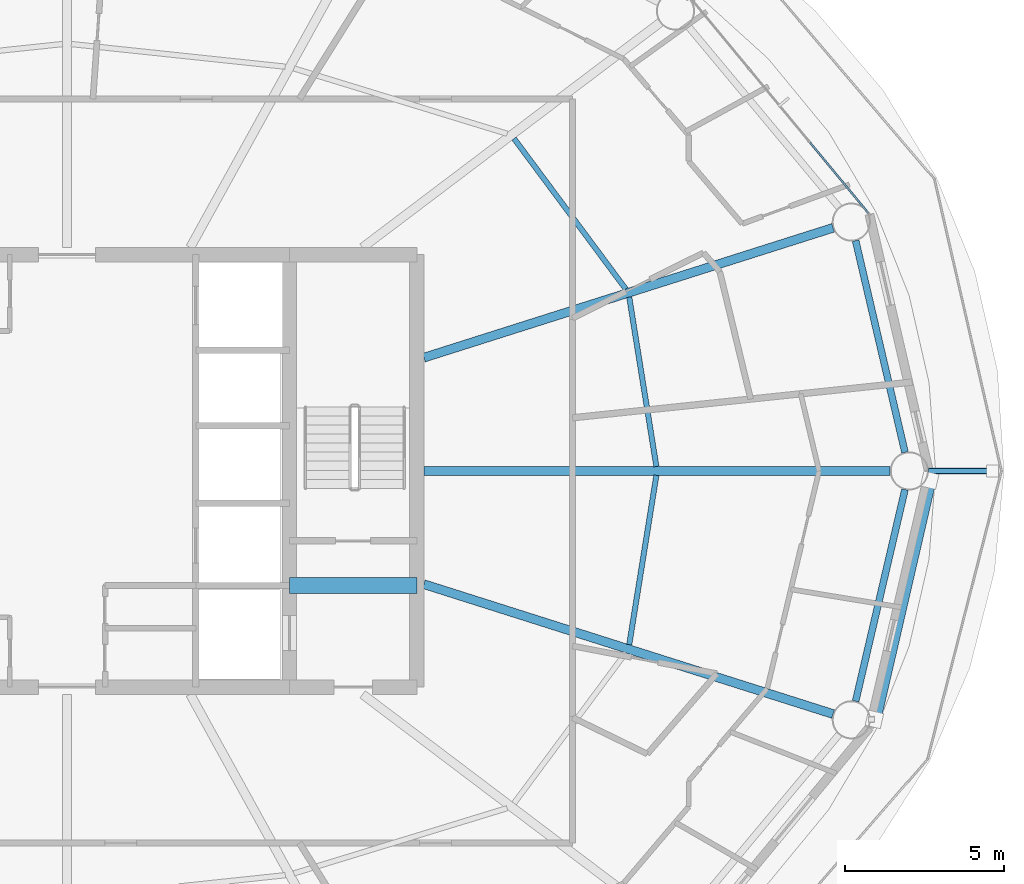
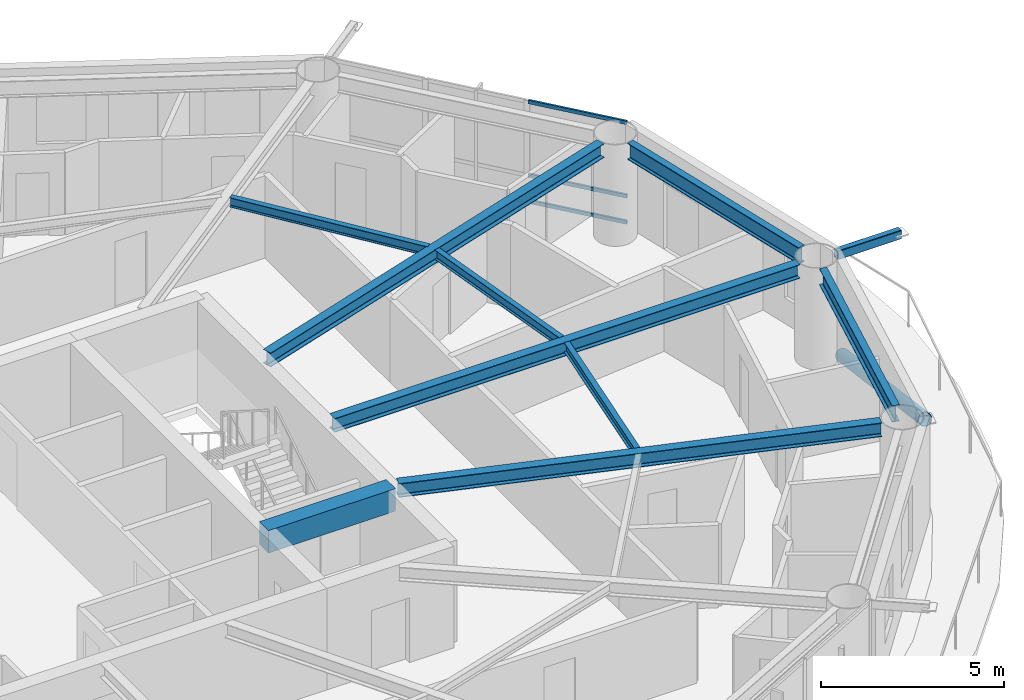
# One storey, part 8 of 27: 9 beams, 5 members, 1 element without a shape of its own.
"""IFC4 building model written with IfcOpenShell, lengths in metres."""

from ifc_helpers import new_model, si_unit, direction, frame, origin, origin_2d, place, context, subcontext, project, spatial, rectangle, hollow_rectangle, hollow_circle, i_section, extrude, material, layer, layer_set, material_profile, profile_set, type_object, element, aggregate, save


model = new_model("IFC4")

# Units and contexts
model_context = context("Model", 3, precision=1e-05, world=origin(), true_north=direction((0.0, 1.0)))
body_context = subcontext(model_context, "Body", "Model", "MODEL_VIEW")
ifc_project = project(units=[si_unit("LENGTHUNIT", "METRE"), si_unit("AREAUNIT", "SQUARE_METRE"), si_unit("VOLUMEUNIT", "CUBIC_METRE"), si_unit("PLANEANGLEUNIT", "RADIAN"), si_unit("MASSUNIT", "GRAM", prefix="KILO")], contexts=[model_context])

# Site, building, storey
site_placement = place(None, origin())
site = spatial("IfcSite", under=ifc_project, at=site_placement, CompositionType="ELEMENT")
building_placement = place(site_placement, origin())
building = spatial("IfcBuilding", under=site, at=building_placement, Name="Sarneth Arch Tower", CompositionType="ELEMENT")
storey_placement = place(building_placement, frame((0.0, 0.0, 193.800048828125)))
storey = spatial("IfcBuildingStorey", under=building, at=storey_placement, Name="L49", CompositionType="ELEMENT", Elevation=193.800048828125)

# Beams
ifc_material_1 = material(Name="Steel S355", Category="steel")
ifc_material_profile_1 = material_profile(ifc_material_1, i_section(OverallWidth=0.1669921875, OverallDepth=0.31689453125, WebThickness=0.007568359375, FlangeThickness=0.01318359375, FilletRadius=0.012939453125, at=origin_2d()), Name="W310x52")
ifc_profile_set_1 = profile_set([ifc_material_profile_1], Name="Steel S355")
beam_type_1 = type_object("IfcBeamType", Name="BM-JOIST-310B", PredefinedType="JOIST", material=ifc_profile_set_1)
beam_1_placement = place(storey_placement, frame((66.533935546875, 42.13818359375, 3.221435546875), z_axis=(-0.158348792374, 0.987383238643, 0.0), x_axis=(-0.987383238643, -0.158348792374, 0.0)))
element("IfcBeam", 1, at=beam_1_placement, inside=storey, type_object=beam_type_1, Name="L49 Secondary floor joist 01", PredefinedType="JOIST", context=body_context, shape_type="SweptSolid", body=[
    extrude(i_section(OverallWidth=0.1669921875, OverallDepth=0.31689453125, WebThickness=0.007568359375, FlangeThickness=0.01318359375, FilletRadius=0.012939453125, at=origin_2d()), origin(), (0.0, 0.0, 1.0), 5.394775390625),
])
beam_2_placement = place(storey_placement, frame((65.57421875, 47.715576171875, 3.221435546875), z_axis=(-0.596190586674, 0.802842938788, 0.0), x_axis=(-0.802842938788, -0.596190586674, 0.0)))
element("IfcBeam", 2, at=beam_2_placement, inside=storey, type_object=beam_type_1, Name="L49 Secondary floor joist 02", PredefinedType="JOIST", context=body_context, shape_type="SweptSolid", body=[
    extrude(i_section(OverallWidth=0.1669921875, OverallDepth=0.31689453125, WebThickness=0.007568359375, FlangeThickness=0.01318359375, FilletRadius=0.012939453125, at=origin_2d()), origin(), (0.0, 0.0, 1.0), 5.896484375),
])
beam_3_placement = place(storey_placement, frame((65.6796875, 36.53515625, 3.221435546875), z_axis=(0.158348792374, 0.987383238643, 0.0), x_axis=(-0.987383238643, 0.158348792374, 0.0)))
element("IfcBeam", 3, at=beam_3_placement, inside=storey, type_object=beam_type_1, Name="L49 Secondary floor joist 16", PredefinedType="JOIST", context=body_context, shape_type="SweptSolid", body=[
    extrude(i_section(OverallWidth=0.1669921875, OverallDepth=0.31689453125, WebThickness=0.007568359375, FlangeThickness=0.01318359375, FilletRadius=0.012939453125, at=origin_2d()), origin(), (0.0, 0.0, 1.0), 5.394775390625),
])
ifc_material_2 = material(Name="Concrete C50/60", Category="concrete")
ifc_material_profile_2 = material_profile(ifc_material_2, rectangle(XDim=0.5, YDim=0.75, at=origin_2d()), Name="RC-500x750")
ifc_profile_set_2 = profile_set([ifc_material_profile_2], Name="Concrete C50/60")
beam_type_2 = type_object("IfcBeamType", Name="BM-LINTEL-RC", PredefinedType="LINTEL", material=ifc_profile_set_2)
beam_4_placement = place(storey_placement, frame((55.0, 38.39990234375, 3.0048828125), z_axis=(1.0, 0.0, 0.0), x_axis=(0.0, 1.0, 0.0)))
element("IfcBeam", 4, at=beam_4_placement, inside=storey, type_object=beam_type_2, Name="L49 Core coupling lintel E", PredefinedType="LINTEL", context=body_context, shape_type="SweptSolid", body=[
    extrude(rectangle(XDim=0.5, YDim=0.75, at=origin_2d()), origin(), (0.0, 0.0, 1.0), 4.0),
])
ifc_material_3 = material(Name="Steel S355", Category="steel")
ifc_material_profile_3 = material_profile(ifc_material_3, i_section(OverallWidth=0.280029296875, OverallDepth=0.462890625, WebThickness=0.0107421875, FlangeThickness=0.017333984375, FilletRadius=0.01806640625, at=origin_2d()), Name="W460x113")
ifc_profile_set_3 = profile_set([ifc_material_profile_3], Name="Steel S355")
beam_type_3 = type_object("IfcBeamType", Name="BM-RAD-460A", PredefinedType="BEAM", material=ifc_profile_set_3)
beam_5_placement = place(storey_placement, frame((59.22509765625, 42.0, 3.1484375), z_axis=(1.0, 0.0, 0.0), x_axis=(0.0, 1.0, 0.0)))
element("IfcBeam", 5, at=beam_5_placement, inside=storey, type_object=beam_type_3, Name="L49 Radial floor girder 01", PredefinedType="BEAM", context=body_context, shape_type="SweptSolid", body=[
    extrude(i_section(OverallWidth=0.280029296875, OverallDepth=0.462890625, WebThickness=0.0107421875, FlangeThickness=0.017333984375, FilletRadius=0.01806640625, at=origin_2d()), origin(), (0.0, 0.0, 1.0), 14.661865234375),
])
for number, where, z_axis, x_axis, name in (
    (6, (59.22509765625, 45.56201171875, 3.1484375), (0.95316541071, 0.30244949963, 0.0), (-0.30244949963, 0.95316541071, 0.0), "L49 Radial floor girder 02"),
    (7, (59.22509765625, 38.43798828125, 3.1484375), (0.95316541071, -0.30244949963, 0.0), (0.30244949963, 0.95316541071, 0.0), "L49 Radial floor girder 16"),
):
    element("IfcBeam", number, at=place(storey_placement, frame(where, z_axis=z_axis, x_axis=x_axis)), inside=storey, type_object=beam_type_3, Name=name, PredefinedType="BEAM", context=body_context, shape_type="SweptSolid", body=[
        extrude(i_section(OverallWidth=0.280029296875, OverallDepth=0.462890625, WebThickness=0.0107421875, FlangeThickness=0.017333984375, FilletRadius=0.01806640625, at=origin_2d()), origin(), (0.0, 0.0, 1.0), 13.497314453125),
    ])
ifc_material_4 = material(Name="Steel S355", Category="steel")
ifc_material_profile_4 = material_profile(ifc_material_4, i_section(OverallWidth=0.214111328125, OverallDepth=0.549072265625, WebThickness=0.0146484375, FlangeThickness=0.023681640625, FilletRadius=0.01806640625, at=origin_2d()), Name="W530x138")
ifc_profile_set_4 = profile_set([ifc_material_profile_4], Name="Steel S355")
beam_type_4 = type_object("IfcBeamType", Name="BM-RAD-530A", PredefinedType="BEAM", material=ifc_profile_set_4)
for number, where, z_axis, x_axis, name in (
    (8, (74.350830078125, 42.584228515625, 3.10546875), (-0.227109937572, 0.973869126863, 0.0), (-0.973869126863, -0.227109937572, 0.0), "L49 Perimeter spandrel beam 01"),
    (9, (72.79833984375, 34.758544921875, 3.10546875), (0.227109937572, 0.973869126863, 0.0), (-0.973869126863, 0.227109937572, 0.0), "L49 Perimeter spandrel beam 16"),
):
    element("IfcBeam", number, at=place(storey_placement, frame(where, z_axis=z_axis, x_axis=x_axis)), inside=storey, type_object=beam_type_4, Name=name, PredefinedType="BEAM", context=body_context, shape_type="SweptSolid", body=[
        extrude(i_section(OverallWidth=0.214111328125, OverallDepth=0.549072265625, WebThickness=0.0146484375, FlangeThickness=0.023681640625, FilletRadius=0.01806640625, at=origin_2d()), origin(), (0.0, 0.0, 1.0), 6.8359375),
    ])

# Curtain wall, members
ifc_material_5 = material(Name="Anodised aluminium Type AA25 and solar-control low-e laminated IGU", Category="aluminium")
ifc_layer = layer(ifc_material_5, 0.169921875)
ifc_layer_set = layer_set([ifc_layer], Name="Anodised aluminium Type AA25 and solar-control low-e laminated IGU")
curtain_wall_type = type_object("IfcCurtainWallType", Name="CW-RES-MID", PredefinedType="NOTDEFINED", material=ifc_layer_set)
curtain_wall_placement = place(storey_placement, origin())
curtain_wall = element("IfcCurtainWall", 10, at=curtain_wall_placement, inside=storey, type_object=curtain_wall_type, Name="L49 Unitised curtain wall facet 02", PredefinedType="NOTDEFINED")
ifc_material_6 = material(Name="Anodised Aluminium 6063-T6", Category="aluminium")
ifc_material_profile_5 = material_profile(ifc_material_6, hollow_rectangle(XDim=0.06005859375, YDim=0.1201171875, WallThickness=0.00390625, at=origin_2d()), Name="AL-TRAN-120x60x4")
ifc_profile_set_5 = profile_set([ifc_material_profile_5], Name="Anodised Aluminium 6063-T6")
member_type_1 = type_object("IfcMemberType", Name="CW-TRANSOM", PredefinedType="USERDEFINED", material=ifc_profile_set_5)
member_1_placement = place(storey_placement, frame((73.194091796875, 50.11328125, 0.030029296875), z_axis=(-0.637358651504, 0.770567290607, 0.0), x_axis=(-0.770567290607, -0.637358651504, 0.0)))
member_1 = element("IfcMember", 11, at=member_1_placement, type_object=member_type_1, Name="CW-SYS-5 transom 1.1", ObjectType="TRANSOM", PredefinedType="USERDEFINED", context=body_context, shape_type="SweptSolid", body=[
    extrude(hollow_rectangle(XDim=0.06005859375, YDim=0.1201171875, WallThickness=0.00390625, at=origin_2d()), origin(), (0.0, 0.0, 1.0), 2.8681640625),
])
member_2_placement = place(storey_placement, frame((73.194091796875, 50.11328125, 0.89990234375), z_axis=(-0.637358651504, 0.770567290607, 0.0), x_axis=(-0.770567290607, -0.637358651504, 0.0)))
member_2 = element("IfcMember", 12, at=member_2_placement, type_object=member_type_1, Name="CW-SYS-5 transom 1.2", ObjectType="TRANSOM", PredefinedType="USERDEFINED", context=body_context, shape_type="SweptSolid", body=[
    extrude(hollow_rectangle(XDim=0.06005859375, YDim=0.1201171875, WallThickness=0.00390625, at=origin_2d()), origin(), (0.0, 0.0, 1.0), 2.8681640625),
])
member_3_placement = place(storey_placement, frame((73.194091796875, 50.11328125, 3.349853515625), z_axis=(-0.637358651504, 0.770567290607, 0.0), x_axis=(-0.770567290607, -0.637358651504, 0.0)))
member_3 = element("IfcMember", 13, at=member_3_placement, type_object=member_type_1, Name="CW-SYS-5 transom 1.3", ObjectType="TRANSOM", PredefinedType="USERDEFINED", context=body_context, shape_type="SweptSolid", body=[
    extrude(hollow_rectangle(XDim=0.06005859375, YDim=0.1201171875, WallThickness=0.00390625, at=origin_2d()), origin(), (0.0, 0.0, 1.0), 2.8681640625),
])
aggregate(curtain_wall, [member_1, member_2, member_3])

# Members
ifc_material_7 = material(Name="Steel S355", Category="steel")
ifc_material_profile_6 = material_profile(ifc_material_7, hollow_rectangle(XDim=0.199951171875, YDim=0.300048828125, WallThickness=0.012451171875, InnerFilletRadius=0.018798828125, OuterFilletRadius=0.03125, at=origin_2d()), Name="RHS300x200x12.5")
ifc_profile_set_6 = profile_set([ifc_material_profile_6], Name="Steel S355")
member_type_2 = type_object("IfcMemberType", Name="MEM-CANT-STRUT", PredefinedType="STRUT", material=ifc_profile_set_6)
member_4_placement = place(storey_placement, frame((75.0869140625, 42.0, 3.219970703125), z_axis=(1.0, 0.0, 0.0), x_axis=(0.0, 1.0, 0.0)))
element("IfcMember", 14, at=member_4_placement, inside=storey, type_object=member_type_2, Name="L49 Balcony cantilever bracket 01", PredefinedType="STRUT", context=body_context, shape_type="SweptSolid", body=[
    extrude(hollow_rectangle(XDim=0.199951171875, YDim=0.300048828125, WallThickness=0.012451171875, InnerFilletRadius=0.018798828125, OuterFilletRadius=0.03125, at=origin_2d()), origin(), (0.0, 0.0, 1.0), 2.01318359375),
])
ifc_material_8 = material(Name="Steel S355", Category="steel")
ifc_material_profile_7 = material_profile(ifc_material_8, hollow_circle(Radius=0.202880859375, WallThickness=0.01611328125, at=origin_2d()), Name="CHS406x16")
ifc_profile_set_7 = profile_set([ifc_material_profile_7], Name="Steel S355")
member_type_3 = type_object("IfcMemberType", Name="MEM-DIAG-BR2", PredefinedType="BRACE", material=ifc_profile_set_7)
member_5_placement = place(storey_placement, frame((75.12890625, 41.707763671875, 0.02001953125), z_axis=(-0.209646277215, -0.90691666474, 0.365445757488), x_axis=(0.974306903917, -0.225224459107, 0.0)))
element("IfcMember", 15, at=member_5_placement, inside=storey, type_object=member_type_3, Name="L49 Perimeter frame diagonal 16", PredefinedType="BRACE", context=body_context, shape_type="SweptSolid", body=[
    extrude(hollow_circle(Radius=0.202880859375, WallThickness=0.01611328125, at=origin_2d()), origin(), (0.0, 0.0, 1.0), 8.292724609375),
])

save(model, "model.ifc")
